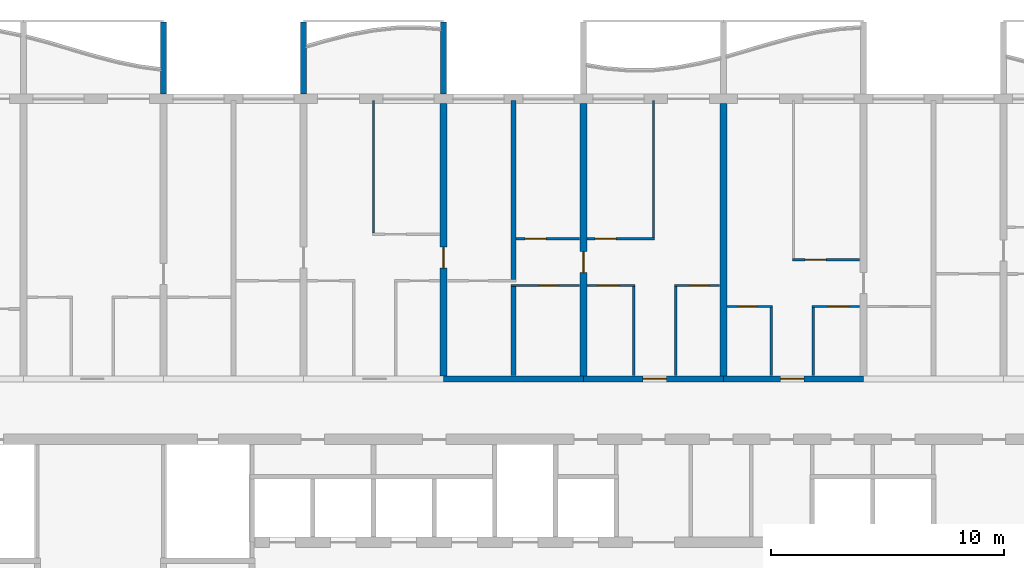
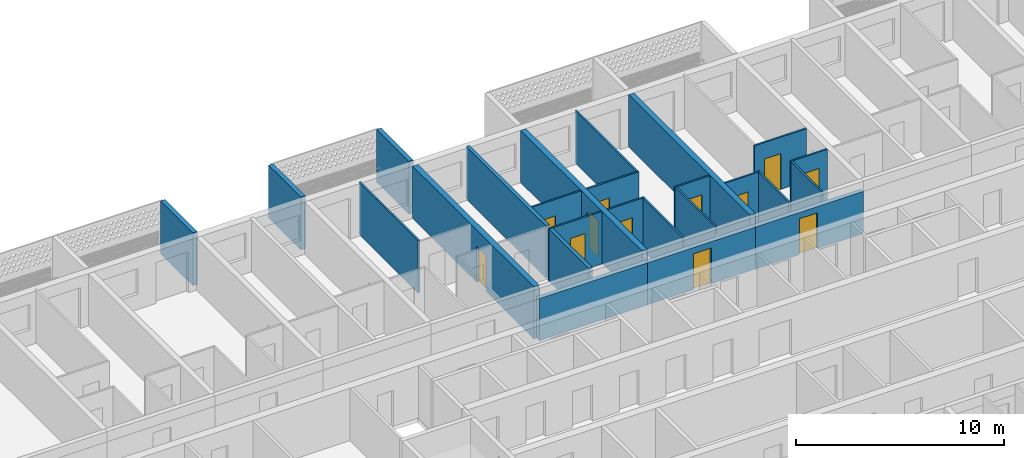
# One storey, part 9 of 31: 25 walls, 12 doors, 12 openings.
"""IFC4 building model written with IfcOpenShell, lengths in metres."""

from ifc_helpers import new_model, si_unit, direction, frame, frame_2d, origin, place, context, subcontext, project, spatial, polyline, rectangle, outline, extrude, source, transform, mapped, material, layer, layer_set, type_object, element, fill, save


model = new_model("IFC4")

# Units and contexts
model_context = context("Model", 3, precision=1e-05, world=origin(), true_north=direction((0.0, 1.0)))
body_context = subcontext(model_context, "Body", "Model", "MODEL_VIEW")
ifc_project = project(units=[si_unit("LENGTHUNIT", "METRE"), si_unit("AREAUNIT", "SQUARE_METRE"), si_unit("VOLUMEUNIT", "CUBIC_METRE"), si_unit("PLANEANGLEUNIT", "RADIAN"), si_unit("MASSUNIT", "GRAM", prefix="KILO")], contexts=[model_context])

# Site, building, storey
site_placement = place(None, origin())
site = spatial("IfcSite", under=ifc_project, at=site_placement, CompositionType="ELEMENT")
building_placement = place(site_placement, origin())
building = spatial("IfcBuilding", under=site, at=building_placement, Name="Poui Terraces", CompositionType="ELEMENT")
storey_placement = place(building_placement, frame((0.0, 0.0, 142.199951171875)))
storey = spatial("IfcBuildingStorey", under=building, at=storey_placement, Name="L39", CompositionType="ELEMENT", Elevation=142.199951171875)

# Wall
ifc_material_1 = material(Name="Concrete 65 MPa", Category="concrete")
ifc_layer_1 = layer(ifc_material_1, 0.25)
ifc_layer_set_1 = layer_set([ifc_layer_1], Name="Concrete 65 MPa")
wall_type_1 = type_object("IfcWallType", Name="CORRIDOR WALL 250 65MPa", PredefinedType="SHEAR", material=ifc_layer_set_1)
wall_1_placement = place(storey_placement, frame((42.0, 30.39990234375, 0.0), z_axis=(0.0, 0.0, 1.0), x_axis=(1.0, 0.0, 0.0)))
element("IfcWall", 1, at=wall_1_placement, inside=storey, type_object=wall_type_1, Name="CORRIDOR WALL LINE E BAY 6", PredefinedType="SHEAR", context=body_context, shape_type="SweptSolid", body=[
    extrude(rectangle(XDim=6.0, YDim=0.25, at=frame_2d((3.0, 0.0))), origin(), (0.0, 0.0, 1.0), 2.469970703125),
])

# Wall, opening, door
wall_2_placement = place(storey_placement, frame((48.0, 30.39990234375, 0.0), z_axis=(0.0, 0.0, 1.0), x_axis=(1.0, 0.0, 0.0)))
wall_2 = element("IfcWall", 2, at=wall_2_placement, inside=storey, type_object=wall_type_1, Name="CORRIDOR WALL LINE E BAY 7", PredefinedType="SHEAR", context=body_context, shape_type="SweptSolid", body=[
    extrude(rectangle(XDim=6.0, YDim=0.25, at=frame_2d((3.0, 0.0))), origin(), (0.0, 0.0, 1.0), 2.469970703125),
])
opening_1_placement = place(wall_2_placement, frame((2.550048828125, 0.0, 0.0)))
opening_1 = element("IfcOpeningElement", 3, at=opening_1_placement, cuts=wall_2, Name="Opening FD30S", PredefinedType="OPENING", context=body_context, shape_type="SweptSolid", body=[
    extrude(rectangle(XDim=1.0, YDim=2.10009765625, at=frame_2d((0.5, 1.050048828125))), frame((0.0, 0.135009765625, 0.0), z_axis=(0.0, -1.0, 0.0), x_axis=(1.0, 0.0, 0.0)), (0.0, 0.0, 1.0), 0.27001953125),
])
ifc_material_2 = material(Name="Steel fire door", Category="steel")
door_type_1 = type_object("IfcDoorType", Name="FLAT ENTRANCE DOOR 1000 X 2100", OperationType="NOTDEFINED", PredefinedType="DOOR", material=ifc_material_2)
door_1_placement = place(opening_1_placement, origin())
door_1 = element("IfcDoor", 4, at=door_1_placement, inside=storey, type_object=door_type_1, Name="FLAT ENTRANCE DOOR 055", OperationType="SINGLE_SWING_RIGHT", OverallHeight=2.10009765625, OverallWidth=1.0, PredefinedType="DOOR", context=body_context, shape_type="SweptSolid", body=[
    extrude(rectangle(XDim=1.0, YDim=2.10009765625, at=frame_2d((0.5, 1.050048828125))), frame((0.0, 0.02490234375, 0.0), z_axis=(0.0, -1.0, 0.0), x_axis=(1.0, 0.0, 0.0)), (0.0, 0.0, 1.0), 0.050048828125),
])
fill(opening_1, door_1)

wall_3_placement = place(storey_placement, frame((54.0, 30.39990234375, 0.0), z_axis=(0.0, 0.0, 1.0), x_axis=(1.0, 0.0, 0.0)))
wall_3 = element("IfcWall", 5, at=wall_3_placement, inside=storey, type_object=wall_type_1, Name="CORRIDOR WALL LINE E BAY 8", PredefinedType="SHEAR", context=body_context, shape_type="SweptSolid", body=[
    extrude(rectangle(XDim=6.0, YDim=0.25, at=frame_2d((3.0, 0.0))), origin(), (0.0, 0.0, 1.0), 2.469970703125),
])
opening_2_placement = place(wall_3_placement, frame((2.449951171875, 0.0, 0.0)))
opening_2 = element("IfcOpeningElement", 6, at=opening_2_placement, cuts=wall_3, Name="Opening FD30S", PredefinedType="OPENING", context=body_context, shape_type="SweptSolid", body=[
    extrude(rectangle(XDim=1.0, YDim=2.10009765625, at=frame_2d((0.5, 1.050048828125))), frame((0.0, 0.135009765625, 0.0), z_axis=(0.0, -1.0, 0.0), x_axis=(1.0, 0.0, 0.0)), (0.0, 0.0, 1.0), 0.27001953125),
])
door_2_placement = place(opening_2_placement, origin())
door_2 = element("IfcDoor", 7, at=door_2_placement, inside=storey, type_object=door_type_1, Name="FLAT ENTRANCE DOOR 059", OperationType="SINGLE_SWING_LEFT", OverallHeight=2.10009765625, OverallWidth=1.0, PredefinedType="DOOR", context=body_context, shape_type="SweptSolid", body=[
    extrude(rectangle(XDim=1.0, YDim=2.10009765625, at=frame_2d((0.5, 1.050048828125))), frame((0.0, 0.02490234375, 0.0), z_axis=(0.0, -1.0, 0.0), x_axis=(1.0, 0.0, 0.0)), (0.0, 0.0, 1.0), 0.050048828125),
])
fill(opening_2, door_2)

ifc_layer_2 = layer(ifc_material_1, 0.300048828125)
ifc_layer_set_2 = layer_set([ifc_layer_2], Name="Concrete 65 MPa")
wall_type_2 = type_object("IfcWallType", Name="CROSS WALL 300 65MPa", PredefinedType="SHEAR", material=ifc_layer_set_2)
wall_4_placement = place(storey_placement, frame((42.0, 30.52490234375, 0.0), z_axis=(0.0, 0.0, 1.0), x_axis=(0.0, 1.0, 0.0)))
wall_4 = element("IfcWall", 8, at=wall_4_placement, inside=storey, type_object=wall_type_2, Name="CROSS WALL LINE 8 NORTH", PredefinedType="SHEAR", context=body_context, shape_type="SweptSolid", body=[
    extrude(rectangle(XDim=11.675048828125, YDim=0.300048828125, at=frame_2d((5.83740234375, 0.0))), origin(), (0.0, 0.0, 1.0), 3.070068359375),
])
opening_3_placement = place(wall_4_placement, frame((4.625, 0.0, 0.0)))
opening_3 = element("IfcOpeningElement", 9, at=opening_3_placement, cuts=wall_4, Name="Opening D90", PredefinedType="OPENING", context=body_context, shape_type="SweptSolid", body=[
    extrude(rectangle(XDim=0.89990234375, YDim=2.10009765625, at=frame_2d((0.449951171875, 1.050048828125))), frame((0.0, 0.16015625, 0.0), z_axis=(0.0, -1.0, 0.0), x_axis=(1.0, 0.0, 0.0)), (0.0, 0.0, 1.0), 0.320068359375),
])
ifc_material_3 = material(Name="Solid core timber door", Category="wood")
door_type_2 = type_object("IfcDoorType", Name="INTERNAL DOOR 900 X 2100", OperationType="NOTDEFINED", PredefinedType="DOOR", material=ifc_material_3)
door_3_placement = place(opening_3_placement, frame((0.89990234375, 0.0, 0.0), z_axis=(0.0, 0.0, 1.0), x_axis=(-1.0, 0.0, 0.0)))
door_3 = element("IfcDoor", 10, at=door_3_placement, inside=storey, type_object=door_type_2, Name="INTERNAL DOOR 049", OperationType="SINGLE_SWING_RIGHT", OverallHeight=2.10009765625, OverallWidth=0.89990234375, PredefinedType="DOOR", context=body_context, shape_type="SweptSolid", body=[
    extrude(rectangle(XDim=0.89990234375, YDim=2.10009765625, at=frame_2d((0.449951171875, 1.050048828125))), frame((0.0, 0.02490234375, 0.0), z_axis=(0.0, -1.0, 0.0), x_axis=(1.0, 0.0, 0.0)), (0.0, 0.0, 1.0), 0.050048828125),
])
fill(opening_3, door_3)

wall_5_placement = place(storey_placement, frame((48.0, 30.52490234375, 0.0), z_axis=(0.0, 0.0, 1.0), x_axis=(0.0, 1.0, 0.0)))
wall_5 = element("IfcWall", 11, at=wall_5_placement, inside=storey, type_object=wall_type_2, Name="CROSS WALL LINE 9 NORTH", PredefinedType="SHEAR", context=body_context, shape_type="SweptSolid", body=[
    extrude(rectangle(XDim=11.675048828125, YDim=0.300048828125, at=frame_2d((5.83740234375, 0.0))), origin(), (0.0, 0.0, 1.0), 3.070068359375),
])
opening_4_placement = place(wall_5_placement, frame((4.425048828125, 0.0, 0.0)))
opening_4 = element("IfcOpeningElement", 12, at=opening_4_placement, cuts=wall_5, Name="Opening D90", PredefinedType="OPENING", context=body_context, shape_type="SweptSolid", body=[
    extrude(rectangle(XDim=0.89990234375, YDim=2.10009765625, at=frame_2d((0.449951171875, 1.050048828125))), frame((0.0, 0.16015625, 0.0), z_axis=(0.0, -1.0, 0.0), x_axis=(1.0, 0.0, 0.0)), (0.0, 0.0, 1.0), 0.320068359375),
])
door_4_placement = place(opening_4_placement, frame((0.89990234375, 0.0, 0.0), z_axis=(0.0, 0.0, 1.0), x_axis=(-1.0, 0.0, 0.0)))
door_4 = element("IfcDoor", 13, at=door_4_placement, inside=storey, type_object=door_type_2, Name="INTERNAL DOOR 052", OperationType="SINGLE_SWING_RIGHT", OverallHeight=2.10009765625, OverallWidth=0.89990234375, PredefinedType="DOOR", context=body_context, shape_type="SweptSolid", body=[
    extrude(rectangle(XDim=0.89990234375, YDim=2.10009765625, at=frame_2d((0.449951171875, 1.050048828125))), frame((0.0, 0.02490234375, 0.0), z_axis=(0.0, -1.0, 0.0), x_axis=(1.0, 0.0, 0.0)), (0.0, 0.0, 1.0), 0.050048828125),
])
fill(opening_4, door_4)

# Wall
wall_6_placement = place(storey_placement, frame((54.0, 30.52490234375, 0.0), z_axis=(0.0, 0.0, 1.0), x_axis=(0.0, 1.0, 0.0)))
element("IfcWall", 14, at=wall_6_placement, inside=storey, type_object=wall_type_2, Name="CROSS WALL LINE 10 NORTH", PredefinedType="SHEAR", context=body_context, shape_type="SweptSolid", body=[
    extrude(rectangle(XDim=11.675048828125, YDim=0.300048828125, at=frame_2d((5.83740234375, 0.0))), origin(), (0.0, 0.0, 1.0), 3.070068359375),
])

# Wall, opening, door
ifc_material_4 = material(Name="Plasterboard partition")
ifc_layer_3 = layer(ifc_material_4, 0.10009765625)
ifc_layer_set_3 = layer_set([ifc_layer_3], Name="Plasterboard partition")
wall_type_3 = type_object("IfcWallType", Name="FLAT PARTITION 100", PredefinedType="PARTITIONING", material=ifc_layer_set_3)
wall_7_placement = place(storey_placement, frame((54.159912109375, 33.5, 0.0), z_axis=(0.0, 0.0, 1.0), x_axis=(1.0, 0.0, 0.0)))
wall_7 = element("IfcWall", 15, at=wall_7_placement, inside=storey, type_object=wall_type_3, Name="FLAT PARTITION 100", PredefinedType="PARTITIONING", context=body_context, shape_type="SweptSolid", body=[
    extrude(rectangle(XDim=1.940185546875, YDim=0.10009765625, at=frame_2d((0.97021484375, 0.0))), origin(), (0.0, 0.0, 1.0), 3.070068359375),
])
opening_5_placement = place(wall_7_placement, frame((0.465087890625, 0.0, 0.0)))
opening_5 = element("IfcOpeningElement", 16, at=opening_5_placement, cuts=wall_7, Name="Opening D80", PredefinedType="OPENING", context=body_context, shape_type="SweptSolid", body=[
    extrude(rectangle(XDim=0.800048828125, YDim=2.10009765625, at=frame_2d((0.39990234375, 1.050048828125))), frame((0.0, 0.06005859375, 0.0), z_axis=(0.0, -1.0, 0.0), x_axis=(1.0, 0.0, 0.0)), (0.0, 0.0, 1.0), 0.1201171875),
])
door_type_3 = type_object("IfcDoorType", Name="BATHROOM, LAUNDRY AND STORE DOOR 800 X 2100", OperationType="NOTDEFINED", PredefinedType="DOOR", material=ifc_material_3)
door_5_placement = place(opening_5_placement, frame((0.800048828125, 0.0, 0.0), z_axis=(0.0, 0.0, 1.0), x_axis=(-1.0, 0.0, 0.0)))
door_5 = element("IfcDoor", 17, at=door_5_placement, inside=storey, type_object=door_type_3, Name="BATHROOM, LAUNDRY AND STORE DOOR 058", OperationType="SINGLE_SWING_LEFT", OverallHeight=2.10009765625, OverallWidth=0.800048828125, PredefinedType="DOOR", context=body_context, shape_type="SweptSolid", body=[
    extrude(rectangle(XDim=0.800048828125, YDim=2.10009765625, at=frame_2d((0.39990234375, 1.050048828125))), frame((0.0, 0.02490234375, 0.0), z_axis=(0.0, -1.0, 0.0), x_axis=(1.0, 0.0, 0.0)), (0.0, 0.0, 1.0), 0.050048828125),
])
fill(opening_5, door_5)

wall_8_placement = place(storey_placement, frame((57.800048828125, 33.5, 0.0), z_axis=(0.0, 0.0, 1.0), x_axis=(1.0, 0.0, 0.0)))
wall_8 = element("IfcWall", 18, at=wall_8_placement, inside=storey, type_object=wall_type_3, Name="FLAT PARTITION 100", PredefinedType="PARTITIONING", context=body_context, shape_type="SweptSolid", body=[
    extrude(rectangle(XDim=2.0400390625, YDim=0.10009765625, at=frame_2d((1.02001953125, 0.0))), origin(), (0.0, 0.0, 1.0), 3.070068359375),
])
opening_6_placement = place(wall_8_placement, frame((0.675048828125, 0.0, 0.0)))
opening_6 = element("IfcOpeningElement", 19, at=opening_6_placement, cuts=wall_8, Name="Opening D90", PredefinedType="OPENING", context=body_context, shape_type="SweptSolid", body=[
    extrude(rectangle(XDim=0.89990234375, YDim=2.10009765625, at=frame_2d((0.449951171875, 1.050048828125))), frame((0.0, 0.06005859375, 0.0), z_axis=(0.0, -1.0, 0.0), x_axis=(1.0, 0.0, 0.0)), (0.0, 0.0, 1.0), 0.1201171875),
])
door_6_placement = place(opening_6_placement, frame((0.89990234375, 0.0, 0.0), z_axis=(0.0, 0.0, 1.0), x_axis=(-1.0, 0.0, 0.0)))
door_6 = element("IfcDoor", 20, at=door_6_placement, inside=storey, type_object=door_type_2, Name="INTERNAL DOOR 061", OperationType="SINGLE_SWING_RIGHT", OverallHeight=2.10009765625, OverallWidth=0.89990234375, PredefinedType="DOOR", context=body_context, shape_type="SweptSolid", body=[
    extrude(rectangle(XDim=0.89990234375, YDim=2.10009765625, at=frame_2d((0.449951171875, 1.050048828125))), frame((0.0, 0.02490234375, 0.0), z_axis=(0.0, -1.0, 0.0), x_axis=(1.0, 0.0, 0.0)), (0.0, 0.0, 1.0), 0.050048828125),
])
fill(opening_6, door_6)

wall_9_placement = place(storey_placement, frame((44.89990234375, 34.39990234375, 0.0), z_axis=(0.0, 0.0, 1.0), x_axis=(1.0, 0.0, 0.0)))
wall_9 = element("IfcWall", 21, at=wall_9_placement, inside=storey, type_object=wall_type_3, Name="FLAT PARTITION 100", PredefinedType="PARTITIONING", context=body_context, shape_type="SweptSolid", body=[
    extrude(rectangle(XDim=2.940185546875, YDim=0.10009765625, at=frame_2d((1.47021484375, 0.0))), origin(), (0.0, 0.0, 1.0), 3.070068359375),
])
opening_7_placement = place(wall_9_placement, frame((1.199951171875, 0.0, 0.0)))
opening_7 = element("IfcOpeningElement", 22, at=opening_7_placement, cuts=wall_9, Name="Opening D80", PredefinedType="OPENING", context=body_context, shape_type="SweptSolid", body=[
    extrude(rectangle(XDim=0.800048828125, YDim=2.10009765625, at=frame_2d((0.39990234375, 1.050048828125))), frame((0.0, 0.06005859375, 0.0), z_axis=(0.0, -1.0, 0.0), x_axis=(1.0, 0.0, 0.0)), (0.0, 0.0, 1.0), 0.1201171875),
])
door_7_placement = place(opening_7_placement, frame((0.800048828125, 0.0, 0.0), z_axis=(0.0, 0.0, 1.0), x_axis=(-1.0, 0.0, 0.0)))
door_7 = element("IfcDoor", 23, at=door_7_placement, inside=storey, type_object=door_type_3, Name="BATHROOM, LAUNDRY AND STORE DOOR 051", OperationType="SINGLE_SWING_LEFT", OverallHeight=2.10009765625, OverallWidth=0.800048828125, PredefinedType="DOOR", context=body_context, shape_type="SweptSolid", body=[
    extrude(rectangle(XDim=0.800048828125, YDim=2.10009765625, at=frame_2d((0.39990234375, 1.050048828125))), frame((0.0, 0.02490234375, 0.0), z_axis=(0.0, -1.0, 0.0), x_axis=(1.0, 0.0, 0.0)), (0.0, 0.0, 1.0), 0.050048828125),
])
fill(opening_7, door_7)

wall_10_placement = place(storey_placement, frame((48.159912109375, 34.39990234375, 0.0), z_axis=(0.0, 0.0, 1.0), x_axis=(1.0, 0.0, 0.0)))
wall_10 = element("IfcWall", 24, at=wall_10_placement, inside=storey, type_object=wall_type_3, Name="FLAT PARTITION 100", PredefinedType="PARTITIONING", context=body_context, shape_type="SweptSolid", body=[
    extrude(rectangle(XDim=2.0400390625, YDim=0.10009765625, at=frame_2d((1.02001953125, 0.0))), origin(), (0.0, 0.0, 1.0), 3.070068359375),
])
opening_8_placement = place(wall_10_placement, frame((0.465087890625, 0.0, 0.0)))
opening_8 = element("IfcOpeningElement", 25, at=opening_8_placement, cuts=wall_10, Name="Opening D90", PredefinedType="OPENING", context=body_context, shape_type="SweptSolid", body=[
    extrude(rectangle(XDim=0.89990234375, YDim=2.10009765625, at=frame_2d((0.449951171875, 1.050048828125))), frame((0.0, 0.06005859375, 0.0), z_axis=(0.0, -1.0, 0.0), x_axis=(1.0, 0.0, 0.0)), (0.0, 0.0, 1.0), 0.1201171875),
])
door_8_placement = place(opening_8_placement, frame((0.89990234375, 0.0, 0.0), z_axis=(0.0, 0.0, 1.0), x_axis=(-1.0, 0.0, 0.0)))
door_8 = element("IfcDoor", 26, at=door_8_placement, inside=storey, type_object=door_type_2, Name="INTERNAL DOOR 054", OperationType="SINGLE_SWING_RIGHT", OverallHeight=2.10009765625, OverallWidth=0.89990234375, PredefinedType="DOOR", context=body_context, shape_type="SweptSolid", body=[
    extrude(rectangle(XDim=0.89990234375, YDim=2.10009765625, at=frame_2d((0.449951171875, 1.050048828125))), frame((0.0, 0.02490234375, 0.0), z_axis=(0.0, -1.0, 0.0), x_axis=(1.0, 0.0, 0.0)), (0.0, 0.0, 1.0), 0.050048828125),
])
fill(opening_8, door_8)

wall_11_placement = place(storey_placement, frame((51.89990234375, 34.39990234375, 0.0), z_axis=(0.0, 0.0, 1.0), x_axis=(1.0, 0.0, 0.0)))
wall_11 = element("IfcWall", 27, at=wall_11_placement, inside=storey, type_object=wall_type_3, Name="FLAT PARTITION 100", PredefinedType="PARTITIONING", context=body_context, shape_type="SweptSolid", body=[
    extrude(rectangle(XDim=1.940185546875, YDim=0.10009765625, at=frame_2d((0.97021484375, 0.0))), origin(), (0.0, 0.0, 1.0), 3.070068359375),
])
opening_9_placement = place(wall_11_placement, frame((0.675048828125, 0.0, 0.0)))
opening_9 = element("IfcOpeningElement", 28, at=opening_9_placement, cuts=wall_11, Name="Opening D80", PredefinedType="OPENING", context=body_context, shape_type="SweptSolid", body=[
    extrude(rectangle(XDim=0.800048828125, YDim=2.10009765625, at=frame_2d((0.39990234375, 1.050048828125))), frame((0.0, 0.06005859375, 0.0), z_axis=(0.0, -1.0, 0.0), x_axis=(1.0, 0.0, 0.0)), (0.0, 0.0, 1.0), 0.1201171875),
])
door_9_placement = place(opening_9_placement, frame((0.800048828125, 0.0, 0.0), z_axis=(0.0, 0.0, 1.0), x_axis=(-1.0, 0.0, 0.0)))
door_9 = element("IfcDoor", 29, at=door_9_placement, inside=storey, type_object=door_type_3, Name="BATHROOM, LAUNDRY AND STORE DOOR 056", OperationType="SINGLE_SWING_LEFT", OverallHeight=2.10009765625, OverallWidth=0.800048828125, PredefinedType="DOOR", context=body_context, shape_type="SweptSolid", body=[
    extrude(rectangle(XDim=0.800048828125, YDim=2.10009765625, at=frame_2d((0.39990234375, 1.050048828125))), frame((0.0, 0.02490234375, 0.0), z_axis=(0.0, -1.0, 0.0), x_axis=(1.0, 0.0, 0.0)), (0.0, 0.0, 1.0), 0.050048828125),
])
fill(opening_9, door_9)

wall_12_placement = place(storey_placement, frame((56.949951171875, 35.5, 0.0), z_axis=(0.0, 0.0, 1.0), x_axis=(1.0, 0.0, 0.0)))
wall_12 = element("IfcWall", 30, at=wall_12_placement, inside=storey, type_object=wall_type_3, Name="FLAT PARTITION 100", PredefinedType="PARTITIONING", context=body_context, shape_type="SweptSolid", body=[
    extrude(rectangle(XDim=2.89013671875, YDim=0.10009765625, at=frame_2d((1.445068359375, 0.0))), origin(), (0.0, 0.0, 1.0), 3.070068359375),
])
opening_10_placement = place(wall_12_placement, frame((0.550048828125, 0.0, 0.0)))
opening_10 = element("IfcOpeningElement", 31, at=opening_10_placement, cuts=wall_12, Name="Opening D90", PredefinedType="OPENING", context=body_context, shape_type="SweptSolid", body=[
    extrude(rectangle(XDim=0.89990234375, YDim=2.10009765625, at=frame_2d((0.449951171875, 1.050048828125))), frame((0.0, 0.06005859375, 0.0), z_axis=(0.0, -1.0, 0.0), x_axis=(1.0, 0.0, 0.0)), (0.0, 0.0, 1.0), 0.1201171875),
])
door_10_placement = place(opening_10_placement, frame((0.89990234375, 0.0, 0.0), z_axis=(0.0, 0.0, 1.0), x_axis=(-1.0, 0.0, 0.0)))
door_10 = element("IfcDoor", 32, at=door_10_placement, inside=storey, type_object=door_type_2, Name="INTERNAL DOOR 060", OperationType="SINGLE_SWING_LEFT", OverallHeight=2.10009765625, OverallWidth=0.89990234375, PredefinedType="DOOR", context=body_context, shape_type="SweptSolid", body=[
    extrude(rectangle(XDim=0.89990234375, YDim=2.10009765625, at=frame_2d((0.449951171875, 1.050048828125))), frame((0.0, 0.02490234375, 0.0), z_axis=(0.0, -1.0, 0.0), x_axis=(1.0, 0.0, 0.0)), (0.0, 0.0, 1.0), 0.050048828125),
])
fill(opening_10, door_10)

wall_13_placement = place(storey_placement, frame((45.10009765625, 36.39990234375, 0.0), z_axis=(0.0, 0.0, 1.0), x_axis=(1.0, 0.0, 0.0)))
wall_13 = element("IfcWall", 33, at=wall_13_placement, inside=storey, type_object=wall_type_3, Name="FLAT PARTITION 100", PredefinedType="PARTITIONING", context=body_context, shape_type="SweptSolid", body=[
    extrude(rectangle(XDim=2.739990234375, YDim=0.10009765625, at=frame_2d((1.3701171875, 0.0))), origin(), (0.0, 0.0, 1.0), 3.070068359375),
])
opening_11_placement = place(wall_13_placement, frame((0.39990234375, 0.0, 0.0)))
opening_11 = element("IfcOpeningElement", 34, at=opening_11_placement, cuts=wall_13, Name="Opening D90", PredefinedType="OPENING", context=body_context, shape_type="SweptSolid", body=[
    extrude(rectangle(XDim=0.89990234375, YDim=2.10009765625, at=frame_2d((0.449951171875, 1.050048828125))), frame((0.0, 0.06005859375, 0.0), z_axis=(0.0, -1.0, 0.0), x_axis=(1.0, 0.0, 0.0)), (0.0, 0.0, 1.0), 0.1201171875),
])
door_11_placement = place(opening_11_placement, origin())
door_11 = element("IfcDoor", 35, at=door_11_placement, inside=storey, type_object=door_type_2, Name="INTERNAL DOOR 050", OperationType="SINGLE_SWING_LEFT", OverallHeight=2.10009765625, OverallWidth=0.89990234375, PredefinedType="DOOR", context=body_context, shape_type="SweptSolid", body=[
    extrude(rectangle(XDim=0.89990234375, YDim=2.10009765625, at=frame_2d((0.449951171875, 1.050048828125))), frame((0.0, 0.02490234375, 0.0), z_axis=(0.0, -1.0, 0.0), x_axis=(1.0, 0.0, 0.0)), (0.0, 0.0, 1.0), 0.050048828125),
])
fill(opening_11, door_11)

wall_14_placement = place(storey_placement, frame((48.159912109375, 36.39990234375, 0.0), z_axis=(0.0, 0.0, 1.0), x_axis=(1.0, 0.0, 0.0)))
wall_14 = element("IfcWall", 36, at=wall_14_placement, inside=storey, type_object=wall_type_3, Name="FLAT PARTITION 100", PredefinedType="PARTITIONING", context=body_context, shape_type="SweptSolid", body=[
    extrude(rectangle(XDim=2.89013671875, YDim=0.10009765625, at=frame_2d((1.445068359375, 0.0))), origin(), (0.0, 0.0, 1.0), 3.070068359375),
])
opening_12_placement = place(wall_14_placement, frame((0.340087890625, 0.0, 0.0)))
opening_12 = element("IfcOpeningElement", 37, at=opening_12_placement, cuts=wall_14, Name="Opening D90", PredefinedType="OPENING", context=body_context, shape_type="SweptSolid", body=[
    extrude(rectangle(XDim=0.89990234375, YDim=2.10009765625, at=frame_2d((0.449951171875, 1.050048828125))), frame((0.0, 0.06005859375, 0.0), z_axis=(0.0, -1.0, 0.0), x_axis=(1.0, 0.0, 0.0)), (0.0, 0.0, 1.0), 0.1201171875),
])
door_12_placement = place(opening_12_placement, frame((0.89990234375, 0.0, 0.0), z_axis=(0.0, 0.0, 1.0), x_axis=(-1.0, 0.0, 0.0)))
door_12 = element("IfcDoor", 38, at=door_12_placement, inside=storey, type_object=door_type_2, Name="INTERNAL DOOR 053", OperationType="SINGLE_SWING_LEFT", OverallHeight=2.10009765625, OverallWidth=0.89990234375, PredefinedType="DOOR", context=body_context, shape_type="SweptSolid", body=[
    extrude(rectangle(XDim=0.89990234375, YDim=2.10009765625, at=frame_2d((0.449951171875, 1.050048828125))), frame((0.0, 0.02490234375, 0.0), z_axis=(0.0, -1.0, 0.0), x_axis=(1.0, 0.0, 0.0)), (0.0, 0.0, 1.0), 0.050048828125),
])
fill(opening_12, door_12)

# Walls
wall_15_placement = place(storey_placement, frame((39.0, 36.64990234375, 0.0), z_axis=(0.0, 0.0, 1.0), x_axis=(0.0, 1.0, 0.0)))
element("IfcWall", 39, at=wall_15_placement, inside=storey, type_object=wall_type_3, Name="FLAT PARTITION 100", PredefinedType="PARTITIONING", context=body_context, shape_type="SweptSolid", body=[
    extrude(rectangle(XDim=5.690185546875, YDim=0.10009765625, at=frame_2d((2.84521484375, 0.0))), origin(), (0.0, 0.0, 1.0), 3.070068359375),
])
wall_16_placement = place(storey_placement, frame((50.14990234375, 30.534912109375, 0.0), z_axis=(0.0, 0.0, 1.0), x_axis=(0.0, 1.0, 0.0)))
element("IfcWall", 40, at=wall_16_placement, inside=storey, type_object=wall_type_3, Name="FLAT PARTITION 100", PredefinedType="PARTITIONING", context=body_context, shape_type="SweptSolid", body=[
    extrude(rectangle(XDim=3.815185546875, YDim=0.10009765625, at=frame_2d((1.90771484375, 0.0))), origin(), (0.0, 0.0, 1.0), 3.070068359375),
])
wall_17_placement = place(storey_placement, frame((51.0, 36.449951171875, 0.0), z_axis=(0.0, 0.0, 1.0), x_axis=(0.0, 1.0, 0.0)))
element("IfcWall", 41, at=wall_17_placement, inside=storey, type_object=wall_type_3, Name="FLAT PARTITION 100", PredefinedType="PARTITIONING", context=body_context, shape_type="SweptSolid", body=[
    extrude(rectangle(XDim=5.89013671875, YDim=0.10009765625, at=frame_2d((2.945068359375, 0.0))), origin(), (0.0, 0.0, 1.0), 3.070068359375),
])
wall_18_placement = place(storey_placement, frame((51.949951171875, 30.534912109375, 0.0), z_axis=(0.0, 0.0, 1.0), x_axis=(0.0, 1.0, 0.0)))
element("IfcWall", 42, at=wall_18_placement, inside=storey, type_object=wall_type_3, Name="FLAT PARTITION 100", PredefinedType="PARTITIONING", context=body_context, shape_type="SweptSolid", body=[
    extrude(rectangle(XDim=3.815185546875, YDim=0.10009765625, at=frame_2d((1.90771484375, 0.0))), origin(), (0.0, 0.0, 1.0), 3.070068359375),
])
for number, where, z_axis, x_axis, name in (
    (43, (56.050048828125, 30.534912109375, 0.0), (0.0, 0.0, 1.0), (0.0, 1.0, 0.0), "FLAT PARTITION 100"),
    (44, (57.85009765625, 30.534912109375, 0.0), (0.0, 0.0, 1.0), (0.0, 1.0, 0.0), "FLAT PARTITION 100"),
):
    element("IfcWall", number, at=place(storey_placement, frame(where, z_axis=z_axis, x_axis=x_axis)), inside=storey, type_object=wall_type_3, Name=name, PredefinedType="PARTITIONING", context=body_context, shape_type="SweptSolid", body=[
        extrude(rectangle(XDim=2.9150390625, YDim=0.10009765625, at=frame_2d((1.45751953125, 0.0))), origin(), (0.0, 0.0, 1.0), 3.070068359375),
    ])
ifc_material_5 = material(Name="Fire-rated masonry wall", Category="masonry")
ifc_layer_4 = layer(ifc_material_5, 0.199951171875)
ifc_layer_set_4 = layer_set([ifc_layer_4], Name="Fire-rated masonry wall")
wall_type_4 = type_object("IfcWallType", Name="FLAT PARTY WALL 200", PredefinedType="PARTITIONING", material=ifc_layer_set_4)
wall_19_placement = place(storey_placement, frame((45.0, 30.534912109375, 0.0), z_axis=(0.0, 0.0, 1.0), x_axis=(0.0, 1.0, 0.0)))
element("IfcWall", 45, at=wall_19_placement, inside=storey, type_object=wall_type_4, Name="FLAT PARTY WALL 200", PredefinedType="PARTITIONING", context=body_context, shape_type="SweptSolid", body=[
    extrude(rectangle(XDim=3.815185546875, YDim=0.199951171875, at=frame_2d((1.90771484375, 0.0))), origin(), (0.0, 0.0, 1.0), 3.070068359375),
])
wall_20_placement = place(storey_placement, frame((45.0, 34.64990234375, 0.0), z_axis=(0.0, 0.0, 1.0), x_axis=(0.0, 1.0, 0.0)))
element("IfcWall", 46, at=wall_20_placement, inside=storey, type_object=wall_type_4, Name="FLAT PARTY WALL 200", PredefinedType="PARTITIONING", context=body_context, shape_type="SweptSolid", body=[
    extrude(rectangle(XDim=7.690185546875, YDim=0.199951171875, at=frame_2d((3.84521484375, 0.0))), origin(), (0.0, 0.0, 1.0), 3.070068359375),
])
ifc_material_6 = material(Name="Precast concrete 40 MPa", Category="concrete")
ifc_layer_5 = layer(ifc_material_6, 0.25)
ifc_layer_set_5 = layer_set([ifc_layer_5], Name="Precast concrete 40 MPa")
wall_type_5 = type_object("IfcWallType", Name="BALCONY FIN 250", PredefinedType="STANDARD", material=ifc_layer_set_5)
shared_shape = source(origin(), body_context, "Body", "SweptSolid", [
    extrude(outline(polyline([(0.0, 0.0), (0.25, 0.0), (0.25, 3.099853515625), (0.0, 3.099853515625), (0.0, 0.0)])), origin(), (0.0, 0.0, 1.0), 3.10009765625),
])
for number, where, name in (
    (47, (29.875, 42.60009765625, 0.0), "BALCONY FIN"),
    (48, (35.875, 42.60009765625, 0.0), "BALCONY FIN"),
    (49, (41.875, 42.60009765625, 0.0), "BALCONY FIN"),
):
    element("IfcWall", number, at=place(storey_placement, frame(where)), inside=storey, type_object=wall_type_5, Name=name, PredefinedType="STANDARD", context=body_context, shape_type="MappedRepresentation", body=[
        mapped(shared_shape, transform((0.0, 0.0, 0.0))),
    ])

save(model, "model.ifc")
